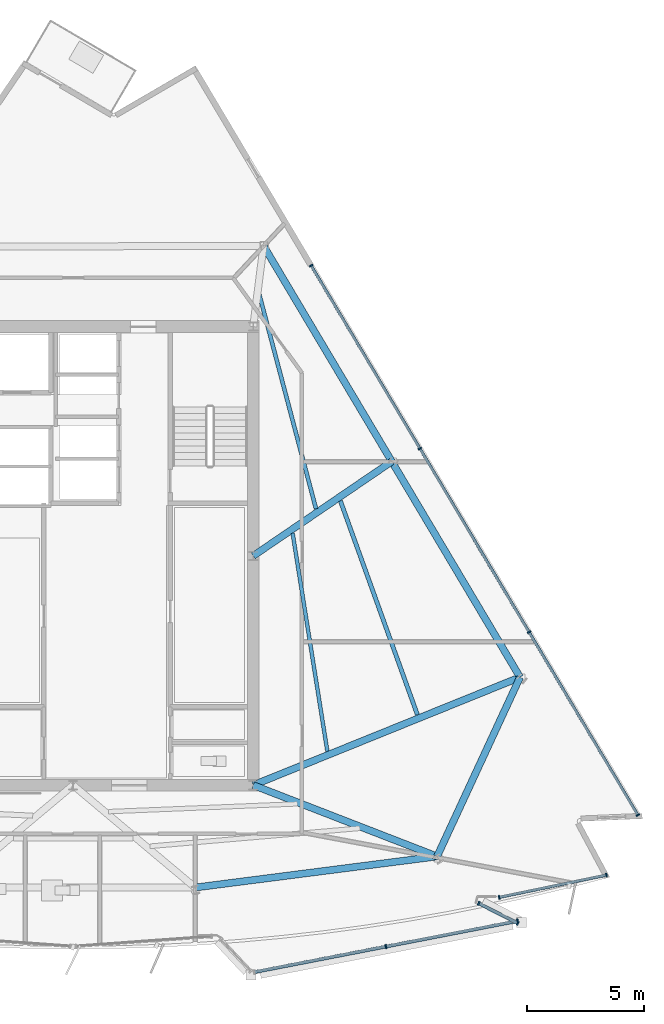
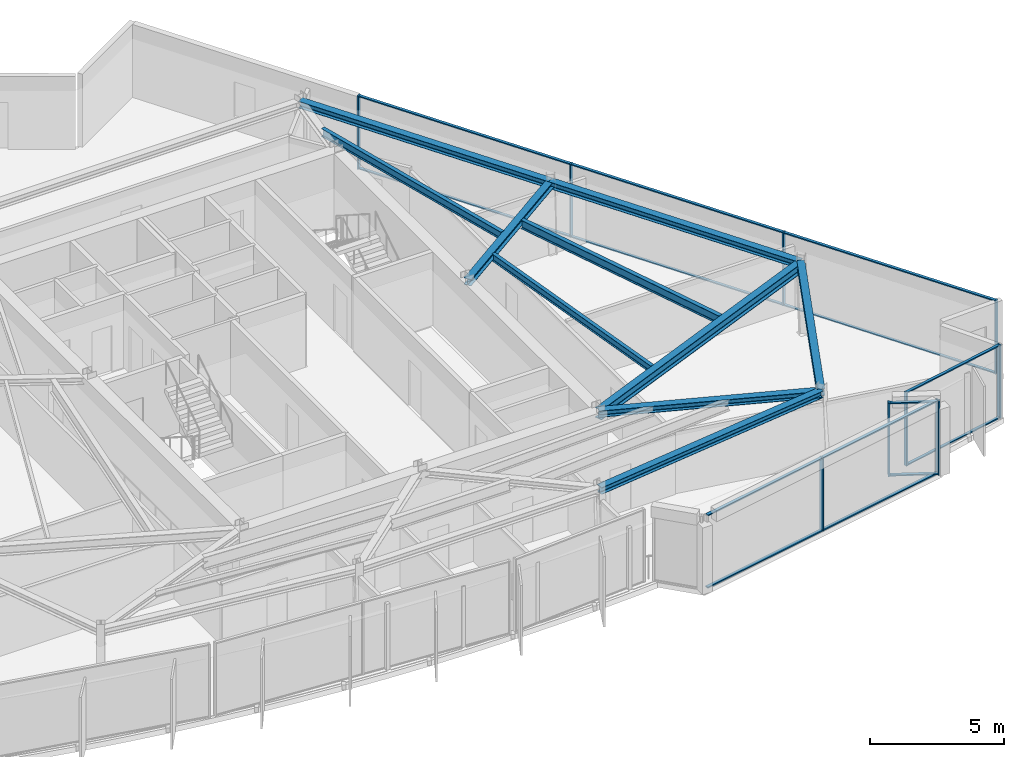
# One storey, part 5 of 13: 24 members, 10 beams, 4 elements without a shape of their own.
"""IFC4 building model written with IfcOpenShell, lengths in metres."""

from ifc_helpers import new_model, si_unit, direction, frame, origin, origin_2d, place, context, subcontext, project, spatial, rectangle, i_section, extrude, material, material_profile, profile_set, type_object, element, aggregate, save


model = new_model("IFC4")

# Units and contexts
model_context = context("Model", 3, precision=1e-05, world=origin(), true_north=direction((0.0, 1.0)))
body_context = subcontext(model_context, "Body", "Model", "MODEL_VIEW")
ifc_project = project(units=[si_unit("LENGTHUNIT", "METRE"), si_unit("AREAUNIT", "SQUARE_METRE"), si_unit("VOLUMEUNIT", "CUBIC_METRE"), si_unit("PLANEANGLEUNIT", "RADIAN"), si_unit("MASSUNIT", "GRAM", prefix="KILO")], contexts=[model_context])

# Site, building, storey
site_placement = place(None, origin())
site = spatial("IfcSite", under=ifc_project, at=site_placement, CompositionType="ELEMENT")
building_placement = place(site_placement, origin())
building = spatial("IfcBuilding", under=site, at=building_placement, Name="Savorim Split Tower", CompositionType="ELEMENT")
storey_placement = place(building_placement, frame((0.0, 0.0, 265.199951171875)))
storey = spatial("IfcBuildingStorey", under=building, at=storey_placement, Name="L70", CompositionType="ELEMENT", Elevation=265.199951171875)

# Beams
ifc_material_1 = material(Name="Steel S355", Category="steel")
ifc_material_profile_1 = material_profile(ifc_material_1, i_section(OverallWidth=0.159912109375, OverallDepth=0.330078125, WebThickness=0.007568359375, FlangeThickness=0.011474609375, FilletRadius=0.01806640625, at=origin_2d()), Name="IPE 330")
ifc_profile_set_1 = profile_set([ifc_material_profile_1], Name="Steel S355")
beam_type_1 = type_object("IfcBeamType", Name="BM-JST-IPE330", PredefinedType="JOIST", material=ifc_profile_set_1)
beam_1_placement = place(storey_placement, frame((10.867919921875, -7.949951171875, 3.18505859375), z_axis=(-0.15728130823, 0.987553841611, 0.0), x_axis=(-0.987553841611, -0.15728130823, 0.0)))
element("IfcBeam", 1, at=beam_1_placement, inside=storey, type_object=beam_type_1, Name="L70 Secondary Floor Joist JS-08", PredefinedType="JOIST", context=body_context, shape_type="SweptSolid", body=[
    extrude(i_section(OverallWidth=0.159912109375, OverallDepth=0.330078125, WebThickness=0.007568359375, FlangeThickness=0.011474609375, FilletRadius=0.01806640625, at=origin_2d()), origin(), (0.0, 0.0, 1.0), 9.439208984375),
])
ifc_material_profile_2 = material_profile(ifc_material_1, i_section(OverallWidth=0.169921875, OverallDepth=0.360107421875, WebThickness=0.008056640625, FlangeThickness=0.0126953125, FilletRadius=0.01806640625, at=origin_2d()), Name="IPE 360")
ifc_profile_set_2 = profile_set([ifc_material_profile_2], Name="Steel S355")
beam_type_2 = type_object("IfcBeamType", Name="BM-JST-IPE360", PredefinedType="JOIST", material=ifc_profile_set_2)
beam_2_placement = place(storey_placement, frame((10.383056640625, 2.410888671875, 3.170166015625), z_axis=(-0.255752599047, 0.966742265591, 0.0), x_axis=(-0.966742265591, -0.255752599047, 0.0)))
element("IfcBeam", 2, at=beam_2_placement, inside=storey, type_object=beam_type_2, Name="L70 Secondary Floor Joist JS-07", PredefinedType="JOIST", context=body_context, shape_type="SweptSolid", body=[
    extrude(i_section(OverallWidth=0.169921875, OverallDepth=0.360107421875, WebThickness=0.008056640625, FlangeThickness=0.0126953125, FilletRadius=0.01806640625, at=origin_2d()), origin(), (0.0, 0.0, 1.0), 9.541259765625),
])
ifc_material_profile_3 = material_profile(ifc_material_1, i_section(OverallWidth=0.179931640625, OverallDepth=0.39990234375, WebThickness=0.008544921875, FlangeThickness=0.013427734375, FilletRadius=0.02099609375, at=origin_2d()), Name="IPE 400")
ifc_profile_set_3 = profile_set([ifc_material_profile_3], Name="Steel S355")
beam_type_3 = type_object("IfcBeamType", Name="BM-JST-IPE400", PredefinedType="JOIST", material=ifc_profile_set_3)
beam_3_placement = place(storey_placement, frame((14.71630859375, -6.388427734375, 3.150146484375), z_axis=(-0.338764856413, 0.940871070902, 0.0), x_axis=(-0.940871070902, -0.338764856413, 0.0)))
element("IfcBeam", 3, at=beam_3_placement, inside=storey, type_object=beam_type_3, Name="L70 Secondary Floor Joist JS-06", PredefinedType="JOIST", context=body_context, shape_type="SweptSolid", body=[
    extrude(i_section(OverallWidth=0.179931640625, OverallDepth=0.39990234375, WebThickness=0.008544921875, FlangeThickness=0.013427734375, FilletRadius=0.02099609375, at=origin_2d()), origin(), (0.0, 0.0, 1.0), 9.714111328125),
])
ifc_material_profile_4 = material_profile(ifc_material_1, i_section(OverallWidth=0.300048828125, OverallDepth=0.300048828125, WebThickness=0.010986328125, FlangeThickness=0.01904296875, FilletRadius=0.027099609375, at=origin_2d()), Name="HEB 300")
ifc_profile_set_4 = profile_set([ifc_material_profile_4], Name="Steel S355")
beam_type_4 = type_object("IfcBeamType", Name="BM-PRI-HEB300", PredefinedType="BEAM", material=ifc_profile_set_4)
beam_4_placement = place(storey_placement, frame((15.5576171875, -12.447021484375, 3.199951171875), z_axis=(-0.932350547617, 0.361555606177, 0.0), x_axis=(-0.361555606177, -0.932350547617, 0.0)))
element("IfcBeam", 4, at=beam_4_placement, inside=storey, type_object=beam_type_4, Name="L70 Primary Floor Girder RG-04", PredefinedType="BEAM", context=body_context, shape_type="SweptSolid", body=[
    extrude(i_section(OverallWidth=0.300048828125, OverallDepth=0.300048828125, WebThickness=0.010986328125, FlangeThickness=0.01904296875, FilletRadius=0.027099609375, at=origin_2d()), origin(), (0.0, 0.0, 1.0), 8.427734375),
])
beam_5_placement = place(storey_placement, frame((13.62158203125, 4.434814453125, 3.199951171875), z_axis=(-0.826393817659, -0.563092583981, 0.0), x_axis=(0.563092583981, -0.826393817659, 0.0)))
element("IfcBeam", 5, at=beam_5_placement, inside=storey, type_object=beam_type_4, Name="L70 Primary Floor Girder RG-06", PredefinedType="BEAM", context=body_context, shape_type="SweptSolid", body=[
    extrude(i_section(OverallWidth=0.300048828125, OverallDepth=0.300048828125, WebThickness=0.010986328125, FlangeThickness=0.01904296875, FilletRadius=0.027099609375, at=origin_2d()), origin(), (0.0, 0.0, 1.0), 7.16552734375),
])
ifc_material_profile_5 = material_profile(ifc_material_1, i_section(OverallWidth=0.300048828125, OverallDepth=0.449951171875, WebThickness=0.013916015625, FlangeThickness=0.02587890625, FilletRadius=0.027099609375, at=origin_2d()), Name="HEB 450")
ifc_profile_set_5 = profile_set([ifc_material_profile_5], Name="Steel S355")
beam_type_5 = type_object("IfcBeamType", Name="BM-PRI-HEB450", PredefinedType="BEAM", material=ifc_profile_set_5)
beam_6_placement = place(storey_placement, frame((19.104248046875, -4.785400390625, 3.125), z_axis=(-0.926989860553, -0.375086387958, 0.0), x_axis=(0.375086387958, -0.926989860553, 0.0)))
element("IfcBeam", 6, at=beam_6_placement, inside=storey, type_object=beam_type_5, Name="L70 Primary Floor Girder RG-05", PredefinedType="BEAM", context=body_context, shape_type="SweptSolid", body=[
    extrude(i_section(OverallWidth=0.300048828125, OverallDepth=0.449951171875, WebThickness=0.013916015625, FlangeThickness=0.02587890625, FilletRadius=0.027099609375, at=origin_2d()), origin(), (0.0, 0.0, 1.0), 12.302490234375),
])
ifc_material_profile_6 = material_profile(ifc_material_1, i_section(OverallWidth=0.300048828125, OverallDepth=0.31005859375, WebThickness=0.009033203125, FlangeThickness=0.015380859375, FilletRadius=0.027099609375, at=origin_2d()), Name="HEA 320")
ifc_profile_set_6 = profile_set([ifc_material_profile_6], Name="Steel S355")
beam_type_6 = type_object("IfcBeamType", Name="BM-SPN-HEA320", PredefinedType="SPANDREL", material=ifc_profile_set_6)
beam_7_placement = place(storey_placement, frame((5.214111328125, -13.775146484375, 3.195068359375), z_axis=(0.991857038743, 0.12735625111, 0.0), x_axis=(-0.12735625111, 0.991857038743, 0.0)))
element("IfcBeam", 7, at=beam_7_placement, inside=storey, type_object=beam_type_6, Name="L70 Perimeter Spandrel Beam 3", PredefinedType="SPANDREL", context=body_context, shape_type="SweptSolid", body=[
    extrude(i_section(OverallWidth=0.300048828125, OverallDepth=0.31005859375, WebThickness=0.009033203125, FlangeThickness=0.015380859375, FilletRadius=0.027099609375, at=origin_2d()), origin(), (0.0, 0.0, 1.0), 10.428466796875),
])
beam_8_placement = place(storey_placement, frame((15.5576171875, -12.447021484375, 3.195068359375), z_axis=(0.420082996774, 0.907485689045, 0.0), x_axis=(-0.907485689045, 0.420082996774, 0.0)))
element("IfcBeam", 8, at=beam_8_placement, inside=storey, type_object=beam_type_6, Name="L70 Perimeter Spandrel Beam 4", PredefinedType="SPANDREL", context=body_context, shape_type="SweptSolid", body=[
    extrude(i_section(OverallWidth=0.300048828125, OverallDepth=0.31005859375, WebThickness=0.009033203125, FlangeThickness=0.015380859375, FilletRadius=0.027099609375, at=origin_2d()), origin(), (0.0, 0.0, 1.0), 8.442626953125),
])
beam_9_placement = place(storey_placement, frame((19.104248046875, -4.785400390625, 3.195068359375), z_axis=(-0.511101296023, 0.859520485622, 0.0), x_axis=(-0.859520485622, -0.511101296023, 0.0)))
element("IfcBeam", 9, at=beam_9_placement, inside=storey, type_object=beam_type_6, Name="L70 Perimeter Spandrel Beam 5", PredefinedType="SPANDREL", context=body_context, shape_type="SweptSolid", body=[
    extrude(i_section(OverallWidth=0.300048828125, OverallDepth=0.31005859375, WebThickness=0.009033203125, FlangeThickness=0.015380859375, FilletRadius=0.027099609375, at=origin_2d()), origin(), (0.0, 0.0, 1.0), 10.72705078125),
])
beam_10_placement = place(storey_placement, frame((13.62158203125, 4.434814453125, 3.195068359375), z_axis=(-0.511091298062, 0.859526430685, 0.0), x_axis=(-0.859526430685, -0.511091298062, 0.0)))
element("IfcBeam", 10, at=beam_10_placement, inside=storey, type_object=beam_type_6, Name="L70 Perimeter Spandrel Beam 6", PredefinedType="SPANDREL", context=body_context, shape_type="SweptSolid", body=[
    extrude(i_section(OverallWidth=0.300048828125, OverallDepth=0.31005859375, WebThickness=0.009033203125, FlangeThickness=0.015380859375, FilletRadius=0.027099609375, at=origin_2d()), origin(), (0.0, 0.0, 1.0), 10.727294921875),
])

# Curtain wall, members
ifc_material_2 = material(Name="Dark Ceramic-Fritted Insulated Glass", Category="glass")
curtain_wall_type_1 = type_object("IfcCurtainWallType", Name="CW-TWR-FRIT-B", PredefinedType="NOTDEFINED", material=ifc_material_2)
curtain_wall_1_placement = place(storey_placement, origin())
curtain_wall_1 = element("IfcCurtainWall", 11, at=curtain_wall_1_placement, inside=storey, type_object=curtain_wall_type_1, Name="L70 Curtain Wall CW-L70-SF4A", PredefinedType="NOTDEFINED")
ifc_material_3 = material(Name="Charcoal Anodised Aluminium", Category="aluminium")
ifc_material_profile_7 = material_profile(ifc_material_3, rectangle(XDim=0.159912109375, YDim=0.06005859375, at=origin_2d()), Name="ALU-M 160x60")
ifc_profile_set_7 = profile_set([ifc_material_profile_7], Name="Charcoal Anodised Aluminium")
member_type_1 = type_object("IfcMemberType", Name="CWM-160x60", PredefinedType="MULLION", material=ifc_profile_set_7)
member_1_placement = place(storey_placement, frame((18.210205078125, -14.193359375, 0.0), z_axis=(0.0, 0.0, 1.0), x_axis=(-0.203206540915, 0.979135895435, 0.0)))
member_1 = element("IfcMember", 12, at=member_1_placement, type_object=member_type_1, Name="CW-03 mullion 1", PredefinedType="MULLION", context=body_context, shape_type="SweptSolid", body=[
    extrude(rectangle(XDim=0.159912109375, YDim=0.06005859375, at=origin_2d()), origin(), (0.0, 0.0, 1.0), 3.35009765625),
])
member_2_placement = place(storey_placement, frame((22.79541015625, -13.24169921875, 0.0), z_axis=(0.0, 0.0, 1.0), x_axis=(-0.203206540915, 0.979135895435, 0.0)))
member_2 = element("IfcMember", 13, at=member_2_placement, type_object=member_type_1, Name="CW-03 mullion 2", PredefinedType="MULLION", context=body_context, shape_type="SweptSolid", body=[
    extrude(rectangle(XDim=0.159912109375, YDim=0.06005859375, at=origin_2d()), origin(), (0.0, 0.0, 1.0), 3.35009765625),
])

curtain_wall_2_placement = place(storey_placement, origin())
curtain_wall_2 = element("IfcCurtainWall", 14, at=curtain_wall_2_placement, inside=storey, type_object=curtain_wall_type_1, Name="L70 Curtain Wall CW-L70-EAST", PredefinedType="NOTDEFINED")
member_3_placement = place(storey_placement, frame((24.138427734375, -10.678955078125, 0.0), z_axis=(0.0, 0.0, 1.0), x_axis=(-0.859527043432, -0.511090267573, 0.0)))
member_3 = element("IfcMember", 15, at=member_3_placement, type_object=member_type_1, Name="CW-03 mullion 1", PredefinedType="MULLION", context=body_context, shape_type="SweptSolid", body=[
    extrude(rectangle(XDim=0.159912109375, YDim=0.06005859375, at=origin_2d()), origin(), (0.0, 0.0, 1.0), 3.35009765625),
])
member_4_placement = place(storey_placement, frame((19.48828125, -2.85888671875, 0.0), z_axis=(0.0, 0.0, 1.0), x_axis=(-0.859527043432, -0.511090267573, 0.0)))
member_4 = element("IfcMember", 16, at=member_4_placement, type_object=member_type_1, Name="CW-03 mullion 2", PredefinedType="MULLION", context=body_context, shape_type="SweptSolid", body=[
    extrude(rectangle(XDim=0.159912109375, YDim=0.06005859375, at=origin_2d()), origin(), (0.0, 0.0, 1.0), 3.35009765625),
])
member_5_placement = place(storey_placement, frame((14.822998046875, 4.987060546875, 0.0), z_axis=(0.0, 0.0, 1.0), x_axis=(-0.859527043432, -0.511090267573, 0.0)))
member_5 = element("IfcMember", 17, at=member_5_placement, type_object=member_type_1, Name="CW-03 mullion 3", PredefinedType="MULLION", context=body_context, shape_type="SweptSolid", body=[
    extrude(rectangle(XDim=0.159912109375, YDim=0.06005859375, at=origin_2d()), origin(), (0.0, 0.0, 1.0), 3.35009765625),
])
member_6_placement = place(storey_placement, frame((10.173095703125, 12.80712890625, 0.0), z_axis=(0.0, 0.0, 1.0), x_axis=(-0.859527043432, -0.511090267573, 0.0)))
member_6 = element("IfcMember", 18, at=member_6_placement, type_object=member_type_1, Name="CW-03 mullion 4", PredefinedType="MULLION", context=body_context, shape_type="SweptSolid", body=[
    extrude(rectangle(XDim=0.159912109375, YDim=0.06005859375, at=origin_2d()), origin(), (0.0, 0.0, 1.0), 3.35009765625),
])

curtain_wall_type_2 = type_object("IfcCurtainWallType", Name="CW-BAY-LOUNGE", PredefinedType="NOTDEFINED", material=ifc_material_2)
curtain_wall_3_placement = place(storey_placement, origin())
curtain_wall_3 = element("IfcCurtainWall", 19, at=curtain_wall_3_placement, inside=storey, type_object=curtain_wall_type_2, Name="L70 Curtain Wall CW-L70-BAYF", PredefinedType="NOTDEFINED")
ifc_material_profile_8 = material_profile(ifc_material_3, rectangle(XDim=0.179931640625, YDim=0.06494140625, at=origin_2d()), Name="ALU-M 180x65")
ifc_profile_set_8 = profile_set([ifc_material_profile_8], Name="Charcoal Anodised Aluminium")
member_type_2 = type_object("IfcMemberType", Name="CWM-180x65", PredefinedType="MULLION", material=ifc_profile_set_8)
member_7_placement = place(storey_placement, frame((13.368896484375, -16.29736328125, 0.0), z_axis=(0.0, 0.0, 1.0), x_axis=(-0.190519987082, 0.98168331682, 0.0)))
member_7 = element("IfcMember", 20, at=member_7_placement, type_object=member_type_2, Name="CW-04 mullion 2", PredefinedType="MULLION", context=body_context, shape_type="SweptSolid", body=[
    extrude(rectangle(XDim=0.179931640625, YDim=0.06494140625, at=origin_2d()), origin(), (0.0, 0.0, 1.0), 3.35009765625),
])
member_8_placement = place(storey_placement, frame((18.999267578125, -15.20458984375, 0.0), z_axis=(0.0, 0.0, 1.0), x_axis=(-0.190519987082, 0.98168331682, 0.0)))
member_8 = element("IfcMember", 21, at=member_8_placement, type_object=member_type_2, Name="CW-04 mullion 3", PredefinedType="MULLION", context=body_context, shape_type="SweptSolid", body=[
    extrude(rectangle(XDim=0.179931640625, YDim=0.06494140625, at=origin_2d()), origin(), (0.0, 0.0, 1.0), 3.35009765625),
])

curtain_wall_4_placement = place(storey_placement, origin())
curtain_wall_4 = element("IfcCurtainWall", 22, at=curtain_wall_4_placement, inside=storey, type_object=curtain_wall_type_2, Name="L70 Curtain Wall CW-L70-BAYE", PredefinedType="NOTDEFINED")
member_9_placement = place(storey_placement, frame((19.00439453125, -15.302490234375, 0.0), z_axis=(0.0, 0.0, 1.0), x_axis=(-0.455832046827, -0.890065809413, 0.0)))
member_9 = element("IfcMember", 23, at=member_9_placement, type_object=member_type_2, Name="CW-04 mullion 1", PredefinedType="MULLION", context=body_context, shape_type="SweptSolid", body=[
    extrude(rectangle(XDim=0.179931640625, YDim=0.06494140625, at=origin_2d()), origin(), (0.0, 0.0, 1.0), 3.35009765625),
])
member_10_placement = place(storey_placement, frame((17.335693359375, -14.44775390625, 0.0), z_axis=(0.0, 0.0, 1.0), x_axis=(-0.455832046827, -0.890065809413, 0.0)))
member_10 = element("IfcMember", 24, at=member_10_placement, type_object=member_type_2, Name="CW-04 mullion 2", PredefinedType="MULLION", context=body_context, shape_type="SweptSolid", body=[
    extrude(rectangle(XDim=0.179931640625, YDim=0.06494140625, at=origin_2d()), origin(), (0.0, 0.0, 1.0), 3.35009765625),
])

# Member
ifc_material_profile_9 = material_profile(ifc_material_3, rectangle(XDim=0.1201171875, YDim=0.050048828125, at=origin_2d()), Name="ALU-T 120x50")
ifc_profile_set_9 = profile_set([ifc_material_profile_9], Name="Charcoal Anodised Aluminium")
member_type_3 = type_object("IfcMemberType", Name="CWT-120x50", PredefinedType="USERDEFINED", material=ifc_profile_set_9)
member_11_placement = place(storey_placement, frame((18.23974609375, -14.187255859375, 0.025146484375), z_axis=(0.979133044379, 0.203220278035, 0.0), x_axis=(-0.203220278035, 0.979133044379, 0.0)))
member_11 = element("IfcMember", 25, at=member_11_placement, type_object=member_type_3, Name="CW-03 transom 1.1", ObjectType="TRANSOM", PredefinedType="USERDEFINED", context=body_context, shape_type="SweptSolid", body=[
    extrude(rectangle(XDim=0.1201171875, YDim=0.050048828125, at=origin_2d()), origin(), (0.0, 0.0, 1.0), 4.622802734375),
])

member_12_placement = place(storey_placement, frame((18.23974609375, -14.187255859375, 3.324951171875), z_axis=(0.979133044379, 0.203220278035, 0.0), x_axis=(-0.203220278035, 0.979133044379, 0.0)))
member_12 = element("IfcMember", 26, at=member_12_placement, type_object=member_type_3, Name="CW-03 transom 1.2", ObjectType="TRANSOM", PredefinedType="USERDEFINED", context=body_context, shape_type="SweptSolid", body=[
    extrude(rectangle(XDim=0.1201171875, YDim=0.050048828125, at=origin_2d()), origin(), (0.0, 0.0, 1.0), 4.622802734375),
])

aggregate(curtain_wall_1, [member_1, member_2, member_11, member_12])

member_13_placement = place(storey_placement, frame((24.123046875, -10.6533203125, 0.025146484375), z_axis=(-0.511095349308, 0.859524021721, 0.0), x_axis=(-0.859524021721, -0.511095349308, 0.0)))
member_13 = element("IfcMember", 27, at=member_13_placement, type_object=member_type_3, Name="CW-03 transom 1.1", ObjectType="TRANSOM", PredefinedType="USERDEFINED", context=body_context, shape_type="SweptSolid", body=[
    extrude(rectangle(XDim=0.1201171875, YDim=0.050048828125, at=origin_2d()), origin(), (0.0, 0.0, 1.0), 9.0380859375),
])

member_14_placement = place(storey_placement, frame((24.123046875, -10.6533203125, 3.324951171875), z_axis=(-0.511095349308, 0.859524021721, 0.0), x_axis=(-0.859524021721, -0.511095349308, 0.0)))
member_14 = element("IfcMember", 28, at=member_14_placement, type_object=member_type_3, Name="CW-03 transom 1.2", ObjectType="TRANSOM", PredefinedType="USERDEFINED", context=body_context, shape_type="SweptSolid", body=[
    extrude(rectangle(XDim=0.1201171875, YDim=0.050048828125, at=origin_2d()), origin(), (0.0, 0.0, 1.0), 9.0380859375),
])

member_15_placement = place(storey_placement, frame((19.47314453125, -2.8330078125, 0.025146484375), z_axis=(-0.511106572679, 0.859517347913, 0.0), x_axis=(-0.859517347913, -0.511106572679, 0.0)))
member_15 = element("IfcMember", 29, at=member_15_placement, type_object=member_type_3, Name="CW-03 transom 2.1", ObjectType="TRANSOM", PredefinedType="USERDEFINED", context=body_context, shape_type="SweptSolid", body=[
    extrude(rectangle(XDim=0.1201171875, YDim=0.050048828125, at=origin_2d()), origin(), (0.0, 0.0, 1.0), 9.068115234375),
])

member_16_placement = place(storey_placement, frame((19.47314453125, -2.8330078125, 3.324951171875), z_axis=(-0.511106572679, 0.859517347913, 0.0), x_axis=(-0.859517347913, -0.511106572679, 0.0)))
member_16 = element("IfcMember", 30, at=member_16_placement, type_object=member_type_3, Name="CW-03 transom 2.2", ObjectType="TRANSOM", PredefinedType="USERDEFINED", context=body_context, shape_type="SweptSolid", body=[
    extrude(rectangle(XDim=0.1201171875, YDim=0.050048828125, at=origin_2d()), origin(), (0.0, 0.0, 1.0), 9.068115234375),
])

member_17_placement = place(storey_placement, frame((14.8076171875, 5.012939453125, 0.025146484375), z_axis=(-0.511075392877, 0.859535888021, 0.0), x_axis=(-0.859535888021, -0.511075392877, 0.0)))
member_17 = element("IfcMember", 31, at=member_17_placement, type_object=member_type_3, Name="CW-03 transom 3.1", ObjectType="TRANSOM", PredefinedType="USERDEFINED", context=body_context, shape_type="SweptSolid", body=[
    extrude(rectangle(XDim=0.1201171875, YDim=0.050048828125, at=origin_2d()), origin(), (0.0, 0.0, 1.0), 9.0380859375),
])

member_18_placement = place(storey_placement, frame((14.8076171875, 5.012939453125, 3.324951171875), z_axis=(-0.511075392877, 0.859535888021, 0.0), x_axis=(-0.859535888021, -0.511075392877, 0.0)))
member_18 = element("IfcMember", 32, at=member_18_placement, type_object=member_type_3, Name="CW-03 transom 3.2", ObjectType="TRANSOM", PredefinedType="USERDEFINED", context=body_context, shape_type="SweptSolid", body=[
    extrude(rectangle(XDim=0.1201171875, YDim=0.050048828125, at=origin_2d()), origin(), (0.0, 0.0, 1.0), 9.0380859375),
])

aggregate(curtain_wall_2, [member_3, member_4, member_5, member_6, member_13, member_14, member_15, member_16, member_17, member_18])

ifc_material_profile_10 = material_profile(ifc_material_3, rectangle(XDim=0.139892578125, YDim=0.054931640625, at=origin_2d()), Name="ALU-T 140x55")
ifc_profile_set_10 = profile_set([ifc_material_profile_10], Name="Charcoal Anodised Aluminium")
member_type_4 = type_object("IfcMemberType", Name="CWT-140x55", PredefinedType="USERDEFINED", material=ifc_profile_set_10)
member_19_placement = place(storey_placement, frame((7.7705078125, -17.384033203125, 0.027587890625), z_axis=(0.98168255416, 0.190523916761, 0.0), x_axis=(-0.190523916761, 0.98168255416, 0.0)))
member_19 = element("IfcMember", 33, at=member_19_placement, type_object=member_type_4, Name="CW-04 transom 1.1", ObjectType="TRANSOM", PredefinedType="USERDEFINED", context=body_context, shape_type="SweptSolid", body=[
    extrude(rectangle(XDim=0.139892578125, YDim=0.054931640625, at=origin_2d()), origin(), (0.0, 0.0, 1.0), 5.670166015625),
])

member_20_placement = place(storey_placement, frame((7.7705078125, -17.384033203125, 3.322509765625), z_axis=(0.98168255416, 0.190523916761, 0.0), x_axis=(-0.190523916761, 0.98168255416, 0.0)))
member_20 = element("IfcMember", 34, at=member_20_placement, type_object=member_type_4, Name="CW-04 transom 1.2", ObjectType="TRANSOM", PredefinedType="USERDEFINED", context=body_context, shape_type="SweptSolid", body=[
    extrude(rectangle(XDim=0.139892578125, YDim=0.054931640625, at=origin_2d()), origin(), (0.0, 0.0, 1.0), 5.670166015625),
])

member_21_placement = place(storey_placement, frame((13.400634765625, -16.291259765625, 0.027587890625), z_axis=(0.981684116975, 0.190515864112, 0.0), x_axis=(-0.190515864112, 0.981684116975, 0.0)))
member_21 = element("IfcMember", 35, at=member_21_placement, type_object=member_type_4, Name="CW-04 transom 2.1", ObjectType="TRANSOM", PredefinedType="USERDEFINED", context=body_context, shape_type="SweptSolid", body=[
    extrude(rectangle(XDim=0.139892578125, YDim=0.054931640625, at=origin_2d()), origin(), (0.0, 0.0, 1.0), 5.67041015625),
])

member_22_placement = place(storey_placement, frame((13.400634765625, -16.291259765625, 3.322509765625), z_axis=(0.981684116975, 0.190515864112, 0.0), x_axis=(-0.190515864112, 0.981684116975, 0.0)))
member_22 = element("IfcMember", 36, at=member_22_placement, type_object=member_type_4, Name="CW-04 transom 2.2", ObjectType="TRANSOM", PredefinedType="USERDEFINED", context=body_context, shape_type="SweptSolid", body=[
    extrude(rectangle(XDim=0.139892578125, YDim=0.054931640625, at=origin_2d()), origin(), (0.0, 0.0, 1.0), 5.67041015625),
])

aggregate(curtain_wall_3, [member_7, member_8, member_19, member_20, member_21, member_22])

member_23_placement = place(storey_placement, frame((18.9755859375, -15.28759765625, 0.027587890625), z_axis=(-0.89009675282, 0.455771621121, 0.0), x_axis=(-0.455771621121, -0.89009675282, 0.0)))
member_23 = element("IfcMember", 37, at=member_23_placement, type_object=member_type_4, Name="CW-04 transom 1.1", ObjectType="TRANSOM", PredefinedType="USERDEFINED", context=body_context, shape_type="SweptSolid", body=[
    extrude(rectangle(XDim=0.139892578125, YDim=0.054931640625, at=origin_2d()), origin(), (0.0, 0.0, 1.0), 1.81005859375),
])

member_24_placement = place(storey_placement, frame((18.9755859375, -15.28759765625, 3.322509765625), z_axis=(-0.89009675282, 0.455771621121, 0.0), x_axis=(-0.455771621121, -0.89009675282, 0.0)))
member_24 = element("IfcMember", 38, at=member_24_placement, type_object=member_type_4, Name="CW-04 transom 1.2", ObjectType="TRANSOM", PredefinedType="USERDEFINED", context=body_context, shape_type="SweptSolid", body=[
    extrude(rectangle(XDim=0.139892578125, YDim=0.054931640625, at=origin_2d()), origin(), (0.0, 0.0, 1.0), 1.81005859375),
])

aggregate(curtain_wall_4, [member_9, member_10, member_23, member_24])

save(model, "model.ifc")
